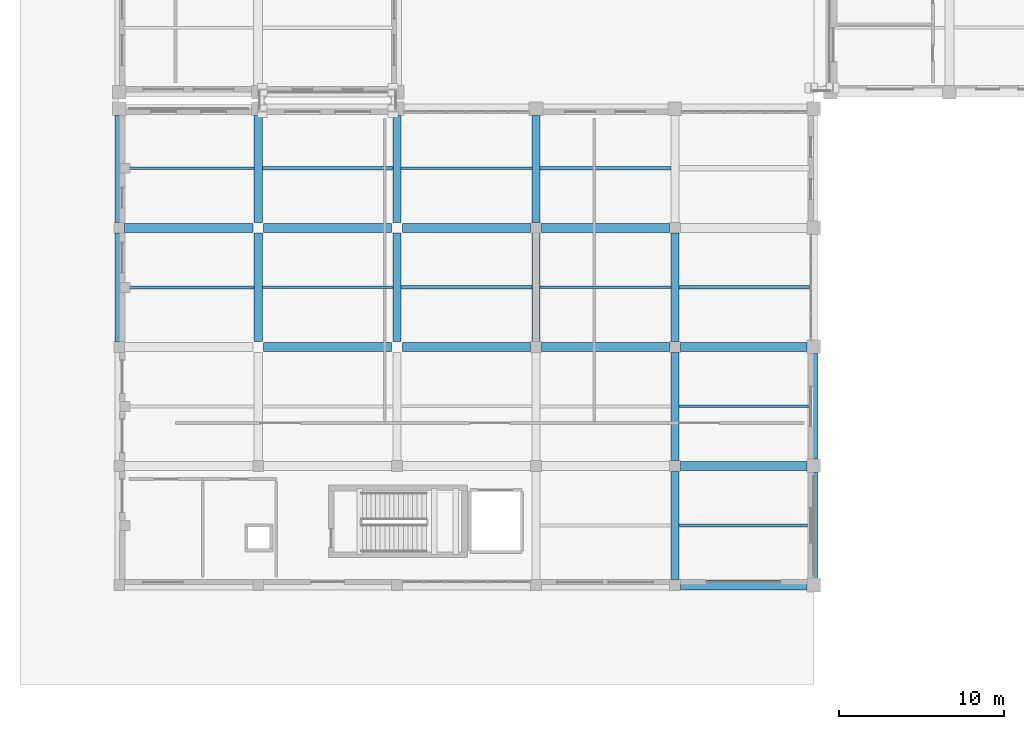
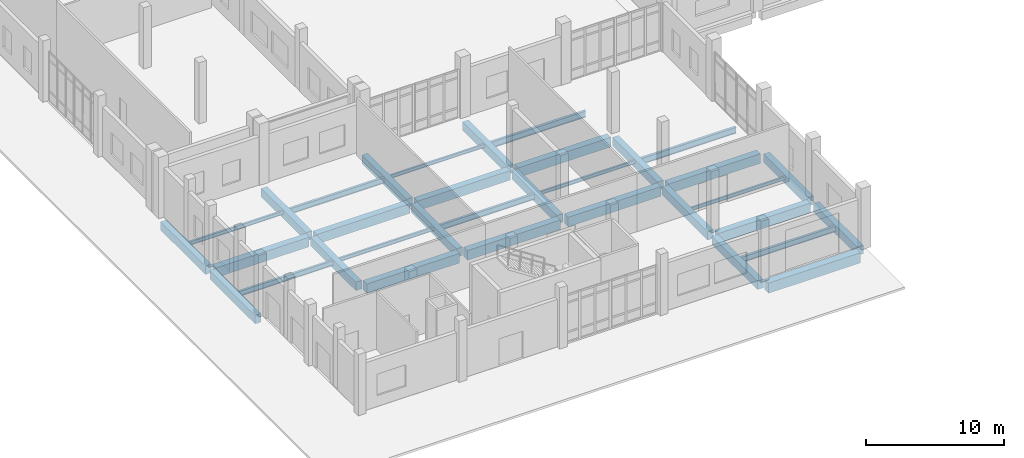
# One storey, part 5 of 79: 34 beams.
"""IFC4 building model written with IfcOpenShell, lengths in metres."""

import ifcopenshell
import ifcopenshell.guid

model = None  # the IFC model being written
_history = None  # IfcOwnerHistory: only IFC2X3 demands one
_inside = {}  # id of a spatial element -> (the spatial element, [elements in it])
_under = {}  # id of a project, library or spatial element -> (it, [spatial elements below it])
_declared = {}  # id of a project -> (the project, [libraries it declares])
_typed = {}  # id of a type object -> (the type object, [elements of that type])
_made_of = {}  # id of a material, layer set ... -> (it, [elements and type objects made of it])


def new_model(schema):
    """Start an empty IFC model of exactly this schema.

    Asked for "IFC4X3", IfcOpenShell would pick the latest addendum, in which some entities
    have other attributes; the version numbers below select the first issue.
    IFC2X3 requires an IfcOwnerHistory on every rooted entity: one is made here for all.
    """
    global model, _history
    if schema == "IFC4X3":
        model = ifcopenshell.file(schema_version=(4, 3, 0, 0))
    else:
        model = ifcopenshell.file(schema=schema)
    _inside.clear()
    _under.clear()
    _declared.clear()
    _typed.clear()
    _made_of.clear()
    _history = None
    if model.schema == "IFC2X3":
        org = make("IfcOrganization", Name="unknown")
        user = make(
            "IfcPersonAndOrganization",
            ThePerson=make("IfcPerson", FamilyName="unknown"),
            TheOrganization=org,
        )
        app = make(
            "IfcApplication",
            ApplicationDeveloper=org,
            Version="unknown",
            ApplicationFullName="unknown",
            ApplicationIdentifier="unknown",
        )
        _history = make(
            "IfcOwnerHistory",
            OwningUser=user,
            OwningApplication=app,
            ChangeAction="ADDED",
            CreationDate=0,
        )
    return model


def make(cls, **values):
    """One entity of the class cls with the attributes given. An attribute that is None is left unset."""
    return model.create_entity(
        cls, **{name: value for name, value in values.items() if value is not None}
    )


def rooted(cls, **values):
    """An entity with a GlobalId (a new one), such as an element, a storey or a relation."""
    return make(cls, GlobalId=ifcopenshell.guid.new(), OwnerHistory=_history, **values)


def si_unit(unit_type, name, prefix=None):
    """IfcSIUnit, for example si_unit("LENGTHUNIT", "METRE", prefix="MILLI")."""
    return make("IfcSIUnit", UnitType=unit_type, Prefix=prefix, Name=name)


def assignment(units):
    """IfcUnitAssignment: the units of a project."""
    return None if units is None else make("IfcUnitAssignment", Units=units)


def point(xyz):
    """IfcCartesianPoint."""
    return None if xyz is None else make("IfcCartesianPoint", Coordinates=xyz)


def direction(xyz):
    """IfcDirection."""
    return None if xyz is None else make("IfcDirection", DirectionRatios=xyz)


def frame(location, z_axis=None, x_axis=None):
    """IfcAxis2Placement3D, a coordinate frame: its origin and axes. An axis left out is left unset."""
    return make(
        "IfcAxis2Placement3D",
        Location=point(location),
        Axis=direction(z_axis),
        RefDirection=direction(x_axis),
    )


def frame_2d(location, x_axis=None):
    """IfcAxis2Placement2D, a coordinate frame in the plane: its origin and x axis."""
    return make(
        "IfcAxis2Placement2D", Location=point(location), RefDirection=direction(x_axis)
    )


def origin():
    """The frame at (0, 0, 0) with its axes left unset."""
    return frame((0.0, 0.0, 0.0))


def origin_2d():
    """The frame at (0, 0) in the plane with its x axis left unset."""
    return frame_2d((0.0, 0.0))


def place(relative_to, where):
    """IfcLocalPlacement: puts the frame where relative to a parent placement (None: the world)."""
    return make(
        "IfcLocalPlacement", PlacementRelTo=relative_to, RelativePlacement=where
    )


def context(
    kind, dimensions, precision=None, world=None, true_north=None, identifier=None
):
    """IfcGeometricRepresentationContext, for example the 3D "Model" context."""
    return make(
        "IfcGeometricRepresentationContext",
        ContextIdentifier=identifier,
        ContextType=kind,
        CoordinateSpaceDimension=dimensions,
        Precision=precision,
        WorldCoordinateSystem=world,
        TrueNorth=true_north,
    )


def subcontext(parent, identifier, kind, view, scale=None):
    """IfcGeometricRepresentationSubContext, for example "Body" below "Model"."""
    return make(
        "IfcGeometricRepresentationSubContext",
        ContextIdentifier=identifier,
        ContextType=kind,
        ParentContext=parent,
        TargetScale=scale,
        TargetView=view,
    )


def project(units=None, contexts=None):
    """IfcProject with its units and contexts."""
    return rooted(
        "IfcProject",
        Name="project",
        RepresentationContexts=contexts,
        UnitsInContext=assignment(units),
    )


def spatial(cls, under=None, at=None, **own):
    """A site, building, storey or space (cls), placed at a placement, below another one or the project."""
    s = rooted(cls, ObjectPlacement=at, **own)
    if under is not None:
        _under.setdefault(under.id(), (under, []))[1].append(s)
    return s


def profile(cls, at=None, kind="AREA", **sizes):
    """A parametric profile (cls). Its sizes go by their IFC names, for example OverallWidth=200.0."""
    return make(cls, ProfileType=kind, Position=at, **sizes)


def rectangle(**sizes):
    """IfcRectangleProfileDef."""
    return profile("IfcRectangleProfileDef", **sizes)


def i_section(**sizes):
    """IfcIShapeProfileDef."""
    return profile("IfcIShapeProfileDef", **sizes)


def extrude(swept, where, along, depth):
    """IfcExtrudedAreaSolid: the profile swept, set in the frame where, extruded along a direction by depth."""
    return make(
        "IfcExtrudedAreaSolid",
        SweptArea=swept,
        Position=where,
        ExtrudedDirection=direction(along),
        Depth=depth,
    )


def shape(context_of_items, identifier, shape_type, items):
    """IfcShapeRepresentation: the items that make up one representation, for example the "Body"."""
    return make(
        "IfcShapeRepresentation",
        ContextOfItems=context_of_items,
        RepresentationIdentifier=identifier,
        RepresentationType=shape_type,
        Items=items,
    )


def material(Name=None, Category=None):
    """IfcMaterial."""
    return make("IfcMaterial", Name=Name, Category=Category)


def material_profile(
    of_material, cross_section, Name=None, Category=None, Priority=None
):
    """IfcMaterialProfile: a cross section and its material."""
    return make(
        "IfcMaterialProfile",
        Name=Name,
        Material=of_material,
        Profile=cross_section,
        Priority=Priority,
        Category=Category,
    )


def profile_set(profiles, Name=None, composite=None):
    """IfcMaterialProfileSet."""
    return make(
        "IfcMaterialProfileSet",
        Name=Name,
        MaterialProfiles=profiles,
        CompositeProfile=composite,
    )


def made_of(thing, what):
    """Note that an element or type object is made of a material, layer set ...; save() writes the relation."""
    if what is not None:
        _made_of.setdefault(what.id(), (what, []))[1].append(thing)
    return thing


def type_object(cls, material=None, **own):
    """A type object (cls), such as IfcWallType, which elements share."""
    return made_of(rooted(cls, **own), material)


def element(
    cls,
    number,
    at=None,
    inside=None,
    cuts=None,
    type_object=None,
    material=None,
    context=None,
    identifier="Body",
    shape_type=None,
    held_by="IfcProductDefinitionShape",
    body=None,
    shapes=None,
    **own,
):
    """One element of the class cls, such as IfcWall. Its Tag is "e" and its number.

    at: its placement. inside: the storey or other place that contains it. cuts: it is an
    opening in that element (IfcRelVoidsElement). A single representation is given by context,
    identifier, shape_type and body (its items); several are given by shapes. held_by: the class
    of the entity that holds the representations. save() writes the other relations.
    """
    e = rooted(cls, Tag="e%d" % number, ObjectPlacement=at, **own)
    if body is not None:
        shapes = [shape(context, identifier, shape_type, body)]
    if shapes is not None:
        e.Representation = make(held_by, Representations=shapes)
    if inside is not None:
        _inside.setdefault(inside.id(), (inside, []))[1].append(e)
    if cuts is not None:
        rooted(
            "IfcRelVoidsElement", RelatingBuildingElement=cuts, RelatedOpeningElement=e
        )
    if type_object is not None:
        _typed.setdefault(type_object.id(), (type_object, []))[1].append(e)
    return made_of(e, material)


def aggregate(whole, parts):
    """IfcRelAggregates: a whole, such as a stair, and the parts it consists of."""
    return rooted("IfcRelAggregates", RelatingObject=whole, RelatedObjects=parts)


def save(model, path):
    """Write the relations noted so far, then the file.

    IfcRelAggregates (storeys below a building ...), IfcRelContainedInSpatialStructure (elements
    in a storey), IfcRelDefinesByType, IfcRelAssociatesMaterial and IfcRelDeclares: one each for
    every whole, place, type object, material and project.
    """
    for whole, parts in _under.values():
        aggregate(whole, parts)
    for where, things in _inside.values():
        rooted(
            "IfcRelContainedInSpatialStructure",
            RelatedElements=things,
            RelatingStructure=where,
        )
    for kind, things in _typed.values():
        rooted("IfcRelDefinesByType", RelatedObjects=things, RelatingType=kind)
    for what, things in _made_of.values():
        rooted("IfcRelAssociatesMaterial", RelatedObjects=things, RelatingMaterial=what)
    for by, libraries in _declared.values():
        rooted("IfcRelDeclares", RelatingContext=by, RelatedDefinitions=libraries)
    model.write(path)


model = new_model("IFC4")

# Units and contexts
model_context = context("Model", 3, precision=1e-05, world=origin(), true_north=direction((0.0, 1.0)))
body_context = subcontext(model_context, "Body", "Model", "MODEL_VIEW")
ifc_project = project(units=[si_unit("LENGTHUNIT", "METRE"), si_unit("AREAUNIT", "SQUARE_METRE"), si_unit("VOLUMEUNIT", "CUBIC_METRE"), si_unit("PLANEANGLEUNIT", "RADIAN"), si_unit("MASSUNIT", "GRAM", prefix="KILO")], contexts=[model_context])

# Site, building, storey
site_placement = place(None, origin())
site = spatial("IfcSite", under=ifc_project, at=site_placement, CompositionType="ELEMENT")
building_placement = place(site_placement, origin())
building = spatial("IfcBuilding", under=site, at=building_placement, Name="Kelarvand Opera House", CompositionType="ELEMENT")
storey_placement = place(building_placement, origin())
storey = spatial("IfcBuildingStorey", under=building, at=storey_placement, Name="L00", CompositionType="ELEMENT", Elevation=0.0)

# Beams
ifc_material_1 = material(Name="Concrete C40/50", Category="concrete")
ifc_material_profile_1 = material_profile(ifc_material_1, rectangle(XDim=0.5, YDim=0.75, at=origin_2d()), Name="RC 500x750", Category="concrete")
ifc_profile_set_1 = profile_set([ifc_material_profile_1], Name="Concrete C40/50")
beam_type_1 = type_object("IfcBeamType", Name="Structural Beam RC 500x750 BM-RC500x750", PredefinedType="BEAM", material=ifc_profile_set_1)
beam_1_placement = place(storey_placement, frame((17.39990234375, 23.72509765625, -0.675048828125), z_axis=(0.0, 1.0, 0.0), x_axis=(-1.0, 0.0, 0.0)))
element("IfcBeam", 1, at=beam_1_placement, inside=storey, type_object=beam_type_1, Name="V4 L00 Beam BM-RC500x750", PredefinedType="BEAM", context=body_context, shape_type="SweptSolid", body=[
    extrude(rectangle(XDim=0.5, YDim=0.75, at=origin_2d()), origin(), (0.0, 0.0, 1.0), 6.5498046875),
])
beam_2_placement = place(storey_placement, frame((17.39990234375, 30.925048828125, -0.675048828125), z_axis=(0.0, 1.0, 0.0), x_axis=(-1.0, 0.0, 0.0)))
element("IfcBeam", 2, at=beam_2_placement, inside=storey, type_object=beam_type_1, Name="V4 L00 Beam BM-RC500x750", PredefinedType="BEAM", context=body_context, shape_type="SweptSolid", body=[
    extrude(rectangle(XDim=0.5, YDim=0.75, at=origin_2d()), origin(), (0.0, 0.0, 1.0), 6.46484375),
])
beam_3_placement = place(storey_placement, frame((25.800048828125, 23.72509765625, -0.675048828125), z_axis=(0.0, 1.0, 0.0), x_axis=(-1.0, 0.0, 0.0)))
element("IfcBeam", 3, at=beam_3_placement, inside=storey, type_object=beam_type_1, Name="V4 L00 Beam BM-RC500x750", PredefinedType="BEAM", context=body_context, shape_type="SweptSolid", body=[
    extrude(rectangle(XDim=0.5, YDim=0.75, at=origin_2d()), origin(), (0.0, 0.0, 1.0), 6.5498046875),
])
beam_4_placement = place(storey_placement, frame((25.800048828125, 30.925048828125, -0.675048828125), z_axis=(0.0, 1.0, 0.0), x_axis=(-1.0, 0.0, 0.0)))
element("IfcBeam", 4, at=beam_4_placement, inside=storey, type_object=beam_type_1, Name="V4 L00 Beam BM-RC500x750", PredefinedType="BEAM", context=body_context, shape_type="SweptSolid", body=[
    extrude(rectangle(XDim=0.5, YDim=0.75, at=origin_2d()), origin(), (0.0, 0.0, 1.0), 6.46484375),
])
beam_5_placement = place(storey_placement, frame((34.199951171875, 23.72509765625, -0.675048828125), z_axis=(0.0, 1.0, 0.0), x_axis=(-1.0, 0.0, 0.0)))
element("IfcBeam", 5, at=beam_5_placement, inside=storey, type_object=beam_type_1, Name="V4 L00 Beam BM-RC500x750", PredefinedType="BEAM", context=body_context, shape_type="SweptSolid", body=[
    extrude(rectangle(XDim=0.5, YDim=0.75, at=origin_2d()), origin(), (0.0, 0.0, 1.0), 6.5498046875),
])
beam_6_placement = place(storey_placement, frame((34.199951171875, 30.925048828125, -0.675048828125), z_axis=(0.0, 1.0, 0.0), x_axis=(-1.0, 0.0, 0.0)))
element("IfcBeam", 6, at=beam_6_placement, inside=storey, type_object=beam_type_1, Name="V4 L00 Beam BM-RC500x750", PredefinedType="BEAM", context=body_context, shape_type="SweptSolid", body=[
    extrude(rectangle(XDim=0.5, YDim=0.75, at=origin_2d()), origin(), (0.0, 0.0, 1.0), 6.46484375),
])
for number, where, z_axis, x_axis, name in (
    (7, (42.60009765625, 9.324951171875, -0.675048828125), (0.0, 1.0, 0.0), (-1.0, 0.0, 0.0), "V4 L00 Beam BM-RC500x750"),
    (8, (42.60009765625, 16.52490234375, -0.675048828125), (0.0, 1.0, 0.0), (-1.0, 0.0, 0.0), "V4 L00 Beam BM-RC500x750"),
):
    element("IfcBeam", number, at=place(storey_placement, frame(where, z_axis=z_axis, x_axis=x_axis)), inside=storey, type_object=beam_type_1, Name=name, PredefinedType="BEAM", context=body_context, shape_type="SweptSolid", body=[
        extrude(rectangle(XDim=0.5, YDim=0.75, at=origin_2d()), origin(), (0.0, 0.0, 1.0), 6.550048828125),
    ])
beam_7_placement = place(storey_placement, frame((42.60009765625, 23.72509765625, -0.675048828125), z_axis=(0.0, 1.0, 0.0), x_axis=(-1.0, 0.0, 0.0)))
element("IfcBeam", 9, at=beam_7_placement, inside=storey, type_object=beam_type_1, Name="V4 L00 Beam BM-RC500x750", PredefinedType="BEAM", context=body_context, shape_type="SweptSolid", body=[
    extrude(rectangle(XDim=0.5, YDim=0.75, at=origin_2d()), origin(), (0.0, 0.0, 1.0), 6.5498046875),
])
ifc_material_profile_2 = material_profile(ifc_material_1, rectangle(XDim=0.550048828125, YDim=0.85009765625, at=origin_2d()), Name="RC 550x850", Category="concrete")
ifc_profile_set_2 = profile_set([ifc_material_profile_2], Name="Concrete C40/50")
beam_type_2 = type_object("IfcBeamType", Name="Structural Beam RC 550x850 BM-RC550x850", PredefinedType="BEAM", material=ifc_profile_set_2)
beam_8_placement = place(storey_placement, frame((42.925048828125, 16.199951171875, -0.72509765625), z_axis=(1.0, 0.0, 0.0), x_axis=(0.0, 1.0, 0.0)))
element("IfcBeam", 10, at=beam_8_placement, inside=storey, type_object=beam_type_2, Name="V4 L00 Beam BM-RC550x850", PredefinedType="BEAM", context=body_context, shape_type="SweptSolid", body=[
    extrude(rectangle(XDim=0.550048828125, YDim=0.85009765625, at=origin_2d()), origin(), (0.0, 0.0, 1.0), 7.6650390625),
])
for number, where, z_axis, x_axis, name in (
    (11, (17.72509765625, 23.39990234375, -0.72509765625), (1.0, 0.0, 0.0), (0.0, 1.0, 0.0), "V4 L00 Beam BM-RC550x850"),
    (12, (26.125, 23.39990234375, -0.72509765625), (1.0, 0.0, 0.0), (0.0, 1.0, 0.0), "V4 L00 Beam BM-RC550x850"),
    (13, (34.52490234375, 23.39990234375, -0.72509765625), (1.0, 0.0, 0.0), (0.0, 1.0, 0.0), "V4 L00 Beam BM-RC550x850"),
):
    element("IfcBeam", number, at=place(storey_placement, frame(where, z_axis=z_axis, x_axis=x_axis)), inside=storey, type_object=beam_type_2, Name=name, PredefinedType="BEAM", context=body_context, shape_type="SweptSolid", body=[
        extrude(rectangle(XDim=0.550048828125, YDim=0.85009765625, at=origin_2d()), origin(), (0.0, 0.0, 1.0), 7.75),
    ])
beam_9_placement = place(storey_placement, frame((42.925048828125, 23.39990234375, -0.72509765625), z_axis=(1.0, 0.0, 0.0), x_axis=(0.0, 1.0, 0.0)))
element("IfcBeam", 14, at=beam_9_placement, inside=storey, type_object=beam_type_2, Name="V4 L00 Beam BM-RC550x850", PredefinedType="BEAM", context=body_context, shape_type="SweptSolid", body=[
    extrude(rectangle(XDim=0.550048828125, YDim=0.85009765625, at=origin_2d()), origin(), (0.0, 0.0, 1.0), 7.6650390625),
])
for number, where, z_axis, x_axis, name in (
    (15, (9.324951171875, 30.60009765625, -0.72509765625), (1.0, 0.0, 0.0), (0.0, 1.0, 0.0), "V4 L00 Beam BM-RC550x850"),
    (16, (17.72509765625, 30.60009765625, -0.72509765625), (1.0, 0.0, 0.0), (0.0, 1.0, 0.0), "V4 L00 Beam BM-RC550x850"),
    (17, (26.125, 30.60009765625, -0.72509765625), (1.0, 0.0, 0.0), (0.0, 1.0, 0.0), "V4 L00 Beam BM-RC550x850"),
    (18, (34.52490234375, 30.60009765625, -0.72509765625), (1.0, 0.0, 0.0), (0.0, 1.0, 0.0), "V4 L00 Beam BM-RC550x850"),
):
    element("IfcBeam", number, at=place(storey_placement, frame(where, z_axis=z_axis, x_axis=x_axis)), inside=storey, type_object=beam_type_2, Name=name, PredefinedType="BEAM", context=body_context, shape_type="SweptSolid", body=[
        extrude(rectangle(XDim=0.550048828125, YDim=0.85009765625, at=origin_2d()), origin(), (0.0, 0.0, 1.0), 7.75),
    ])
ifc_material_2 = material(Name="Steel S355", Category="steel")
ifc_material_profile_3 = material_profile(ifc_material_2, i_section(OverallWidth=0.14990234375, OverallDepth=0.300048828125, WebThickness=0.007080078125, FlangeThickness=0.0107421875, at=origin_2d()), Name="IPE 300", Category="steel")
ifc_profile_set_3 = profile_set([ifc_material_profile_3], Name="Steel S355")
beam_type_3 = type_object("IfcBeamType", Name="Structural Joist IPE 300 JS-IPE300", PredefinedType="JOIST", material=ifc_profile_set_3)
beam_10_placement = place(storey_placement, frame((26.050048828125, 34.199951171875, -0.449951171875), z_axis=(1.0, 0.0, 0.0), x_axis=(0.0, 1.0, 0.0)))
element("IfcBeam", 19, at=beam_10_placement, inside=storey, type_object=beam_type_3, Name="V4 L00 Beam JS-IPE300", PredefinedType="JOIST", context=body_context, shape_type="SweptSolid", body=[
    extrude(i_section(OverallWidth=0.14990234375, OverallDepth=0.300048828125, WebThickness=0.007080078125, FlangeThickness=0.0107421875, at=origin_2d()), origin(), (0.0, 0.0, 1.0), 7.89990234375),
])
beam_11_placement = place(storey_placement, frame((34.449951171875, 27.0, -0.449951171875), z_axis=(1.0, 0.0, 0.0), x_axis=(0.0, 1.0, 0.0)))
element("IfcBeam", 20, at=beam_11_placement, inside=storey, type_object=beam_type_3, Name="V4 L00 Beam JS-IPE300", PredefinedType="JOIST", context=body_context, shape_type="SweptSolid", body=[
    extrude(i_section(OverallWidth=0.14990234375, OverallDepth=0.300048828125, WebThickness=0.007080078125, FlangeThickness=0.0107421875, at=origin_2d()), origin(), (0.0, 0.0, 1.0), 7.900146484375),
])
beam_12_placement = place(storey_placement, frame((42.85009765625, 19.800048828125, -0.449951171875), z_axis=(1.0, 0.0, 0.0), x_axis=(0.0, 1.0, 0.0)))
element("IfcBeam", 21, at=beam_12_placement, inside=storey, type_object=beam_type_3, Name="V4 L00 Beam JS-IPE300", PredefinedType="JOIST", context=body_context, shape_type="SweptSolid", body=[
    extrude(i_section(OverallWidth=0.14990234375, OverallDepth=0.300048828125, WebThickness=0.007080078125, FlangeThickness=0.0107421875, at=origin_2d()), origin(), (0.0, 0.0, 1.0), 7.89990234375),
])
ifc_material_profile_4 = material_profile(ifc_material_2, i_section(OverallWidth=0.159912109375, OverallDepth=0.330078125, WebThickness=0.007568359375, FlangeThickness=0.011474609375, at=origin_2d()), Name="IPE 330", Category="steel")
ifc_profile_set_4 = profile_set([ifc_material_profile_4], Name="Steel S355")
beam_type_4 = type_object("IfcBeamType", Name="Structural Joist IPE 330 JS-IPE330", PredefinedType="JOIST", material=ifc_profile_set_4)
beam_13_placement = place(storey_placement, frame((9.25, 34.199951171875, -0.465087890625), z_axis=(1.0, 0.0, 0.0), x_axis=(0.0, 1.0, 0.0)))
element("IfcBeam", 22, at=beam_13_placement, inside=storey, type_object=beam_type_4, Name="V4 L00 Beam JS-IPE330", PredefinedType="JOIST", context=body_context, shape_type="SweptSolid", body=[
    extrude(i_section(OverallWidth=0.159912109375, OverallDepth=0.330078125, WebThickness=0.007568359375, FlangeThickness=0.011474609375, at=origin_2d()), origin(), (0.0, 0.0, 1.0), 7.89990234375),
])
beam_14_placement = place(storey_placement, frame((17.64990234375, 27.0, -0.465087890625), z_axis=(1.0, 0.0, 0.0), x_axis=(0.0, 1.0, 0.0)))
element("IfcBeam", 23, at=beam_14_placement, inside=storey, type_object=beam_type_4, Name="V4 L00 Beam JS-IPE330", PredefinedType="JOIST", context=body_context, shape_type="SweptSolid", body=[
    extrude(i_section(OverallWidth=0.159912109375, OverallDepth=0.330078125, WebThickness=0.007568359375, FlangeThickness=0.011474609375, at=origin_2d()), origin(), (0.0, 0.0, 1.0), 7.900146484375),
])
ifc_material_profile_5 = material_profile(ifc_material_2, i_section(OverallWidth=0.18994140625, OverallDepth=0.449951171875, WebThickness=0.009521484375, FlangeThickness=0.0146484375, at=origin_2d()), Name="IPE 450", Category="steel")
ifc_profile_set_5 = profile_set([ifc_material_profile_5], Name="Steel S355")
beam_type_5 = type_object("IfcBeamType", Name="Structural Joist IPE 450 JS-IPE450", PredefinedType="JOIST", material=ifc_profile_set_5)
beam_15_placement = place(storey_placement, frame((9.25, 27.0, -0.52490234375), z_axis=(1.0, 0.0, 0.0), x_axis=(0.0, 1.0, 0.0)))
element("IfcBeam", 24, at=beam_15_placement, inside=storey, type_object=beam_type_5, Name="V4 L00 Beam JS-IPE450", PredefinedType="JOIST", context=body_context, shape_type="SweptSolid", body=[
    extrude(i_section(OverallWidth=0.18994140625, OverallDepth=0.449951171875, WebThickness=0.009521484375, FlangeThickness=0.0146484375, at=origin_2d()), origin(), (0.0, 0.0, 1.0), 7.89990234375),
])
ifc_material_profile_6 = material_profile(ifc_material_2, i_section(OverallWidth=0.199951171875, OverallDepth=0.5, WebThickness=0.01025390625, FlangeThickness=0.01611328125, at=origin_2d()), Name="IPE 500", Category="steel")
ifc_profile_set_6 = profile_set([ifc_material_profile_6], Name="Steel S355")
beam_type_6 = type_object("IfcBeamType", Name="Structural Joist IPE 500 JS-IPE500", PredefinedType="JOIST", material=ifc_profile_set_6)
beam_16_placement = place(storey_placement, frame((17.64990234375, 34.199951171875, -0.550048828125), z_axis=(1.0, 0.0, 0.0), x_axis=(0.0, 1.0, 0.0)))
element("IfcBeam", 25, at=beam_16_placement, inside=storey, type_object=beam_type_6, Name="V4 L00 Beam JS-IPE500", PredefinedType="JOIST", context=body_context, shape_type="SweptSolid", body=[
    extrude(i_section(OverallWidth=0.199951171875, OverallDepth=0.5, WebThickness=0.01025390625, FlangeThickness=0.01611328125, at=origin_2d()), origin(), (0.0, 0.0, 1.0), 7.900146484375),
])
for number, where, z_axis, x_axis, name in (
    (26, (26.050048828125, 27.0, -0.550048828125), (1.0, 0.0, 0.0), (0.0, 1.0, 0.0), "V4 L00 Beam JS-IPE500"),
    (27, (42.85009765625, 12.60009765625, -0.550048828125), (1.0, 0.0, 0.0), (0.0, 1.0, 0.0), "V4 L00 Beam JS-IPE500"),
):
    element("IfcBeam", number, at=place(storey_placement, frame(where, z_axis=z_axis, x_axis=x_axis)), inside=storey, type_object=beam_type_6, Name=name, PredefinedType="JOIST", context=body_context, shape_type="SweptSolid", body=[
        extrude(i_section(OverallWidth=0.199951171875, OverallDepth=0.5, WebThickness=0.01025390625, FlangeThickness=0.01611328125, at=origin_2d()), origin(), (0.0, 0.0, 1.0), 7.89990234375),
    ])
ifc_material_profile_7 = material_profile(ifc_material_2, i_section(OverallWidth=0.2099609375, OverallDepth=0.550048828125, WebThickness=0.010986328125, FlangeThickness=0.01708984375, at=origin_2d()), Name="IPE 550", Category="steel")
ifc_profile_set_7 = profile_set([ifc_material_profile_7], Name="Steel S355")
beam_type_7 = type_object("IfcBeamType", Name="Structural Joist IPE 550 JS-IPE550", PredefinedType="JOIST", material=ifc_profile_set_7)
beam_17_placement = place(storey_placement, frame((34.449951171875, 34.199951171875, -0.574951171875), z_axis=(1.0, 0.0, 0.0), x_axis=(0.0, 1.0, 0.0)))
element("IfcBeam", 28, at=beam_17_placement, inside=storey, type_object=beam_type_7, Name="V4 L00 Beam JS-IPE550", PredefinedType="JOIST", context=body_context, shape_type="SweptSolid", body=[
    extrude(i_section(OverallWidth=0.2099609375, OverallDepth=0.550048828125, WebThickness=0.010986328125, FlangeThickness=0.01708984375, at=origin_2d()), origin(), (0.0, 0.0, 1.0), 7.900146484375),
])
beam_18_placement = place(storey_placement, frame((42.85009765625, 27.0, -0.574951171875), z_axis=(1.0, 0.0, 0.0), x_axis=(0.0, 1.0, 0.0)))
element("IfcBeam", 29, at=beam_18_placement, inside=storey, type_object=beam_type_7, Name="V4 L00 Beam JS-IPE550", PredefinedType="JOIST", context=body_context, shape_type="SweptSolid", body=[
    extrude(i_section(OverallWidth=0.2099609375, OverallDepth=0.550048828125, WebThickness=0.010986328125, FlangeThickness=0.01708984375, at=origin_2d()), origin(), (0.0, 0.0, 1.0), 7.89990234375),
])
ifc_material_profile_8 = material_profile(ifc_material_1, rectangle(XDim=0.5, YDim=0.75, at=origin_2d()), Name="RC 500x750", Category="concrete")
ifc_profile_set_8 = profile_set([ifc_material_profile_8], Name="Concrete C40/50")
beam_type_8 = type_object("IfcBeamType", Name="Structural Spandrel RC 500x750 SP-RC500x750E", PredefinedType="SPANDREL", material=ifc_profile_set_8)
beam_19_placement = place(storey_placement, frame((9.0, 23.72509765625, -0.675048828125), z_axis=(0.0, 1.0, 0.0), x_axis=(-1.0, 0.0, 0.0)))
element("IfcBeam", 30, at=beam_19_placement, inside=storey, type_object=beam_type_8, Name="V4 L00 Beam SP-RC500x750E", PredefinedType="SPANDREL", context=body_context, shape_type="SweptSolid", body=[
    extrude(rectangle(XDim=0.5, YDim=0.75, at=origin_2d()), origin(), (0.0, 0.0, 1.0), 6.5498046875),
])
beam_20_placement = place(storey_placement, frame((9.0, 30.925048828125, -0.675048828125), z_axis=(0.0, 1.0, 0.0), x_axis=(-1.0, 0.0, 0.0)))
element("IfcBeam", 31, at=beam_20_placement, inside=storey, type_object=beam_type_8, Name="V4 L00 Beam SP-RC500x750E", PredefinedType="SPANDREL", context=body_context, shape_type="SweptSolid", body=[
    extrude(rectangle(XDim=0.5, YDim=0.75, at=origin_2d()), origin(), (0.0, 0.0, 1.0), 6.46484375),
])
beam_21_placement = place(storey_placement, frame((51.0, 9.409912109375, -0.675048828125), z_axis=(0.0, 1.0, 0.0), x_axis=(-1.0, 0.0, 0.0)))
element("IfcBeam", 32, at=beam_21_placement, inside=storey, type_object=beam_type_8, Name="V4 L00 Beam SP-RC500x750E", PredefinedType="SPANDREL", context=body_context, shape_type="SweptSolid", body=[
    extrude(rectangle(XDim=0.5, YDim=0.75, at=origin_2d()), origin(), (0.0, 0.0, 1.0), 6.380126953125),
])
beam_22_placement = place(storey_placement, frame((51.0, 16.610107421875, -0.675048828125), z_axis=(0.0, 1.0, 0.0), x_axis=(-1.0, 0.0, 0.0)))
element("IfcBeam", 33, at=beam_22_placement, inside=storey, type_object=beam_type_8, Name="V4 L00 Beam SP-RC500x750E", PredefinedType="SPANDREL", context=body_context, shape_type="SweptSolid", body=[
    extrude(rectangle(XDim=0.5, YDim=0.75, at=origin_2d()), origin(), (0.0, 0.0, 1.0), 6.3798828125),
])
ifc_material_profile_9 = material_profile(ifc_material_1, rectangle(XDim=0.60009765625, YDim=0.89990234375, at=origin_2d()), Name="RC 600x900", Category="concrete")
ifc_profile_set_9 = profile_set([ifc_material_profile_9], Name="Concrete C40/50")
beam_type_9 = type_object("IfcBeamType", Name="Structural Spandrel RC 600x900 SP-RC600x900E", PredefinedType="SPANDREL", material=ifc_profile_set_9)
beam_23_placement = place(storey_placement, frame((42.925048828125, 9.0, -0.75), z_axis=(1.0, 0.0, 0.0), x_axis=(0.0, 1.0, 0.0)))
element("IfcBeam", 34, at=beam_23_placement, inside=storey, type_object=beam_type_9, Name="V4 L00 Beam SP-RC600x900E", PredefinedType="SPANDREL", context=body_context, shape_type="SweptSolid", body=[
    extrude(rectangle(XDim=0.60009765625, YDim=0.89990234375, at=origin_2d()), origin(), (0.0, 0.0, 1.0), 7.6650390625),
])

save(model, "model.ifc")
